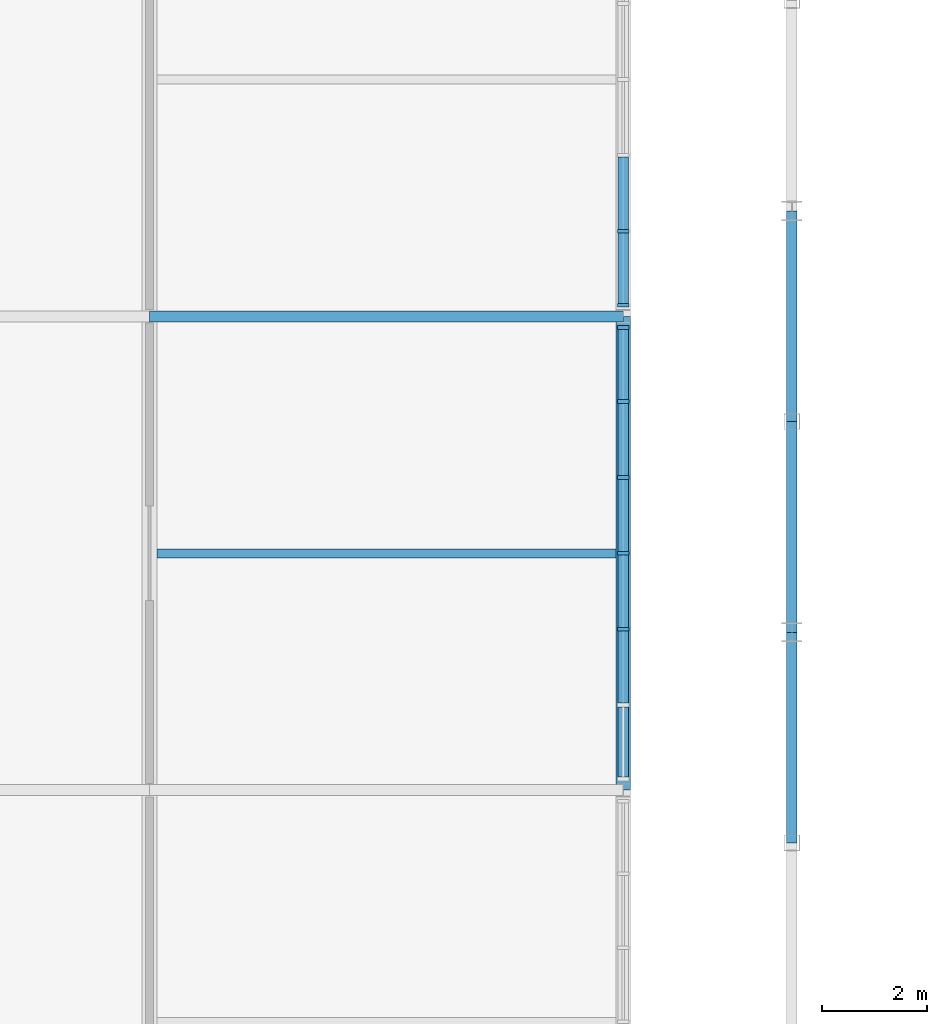
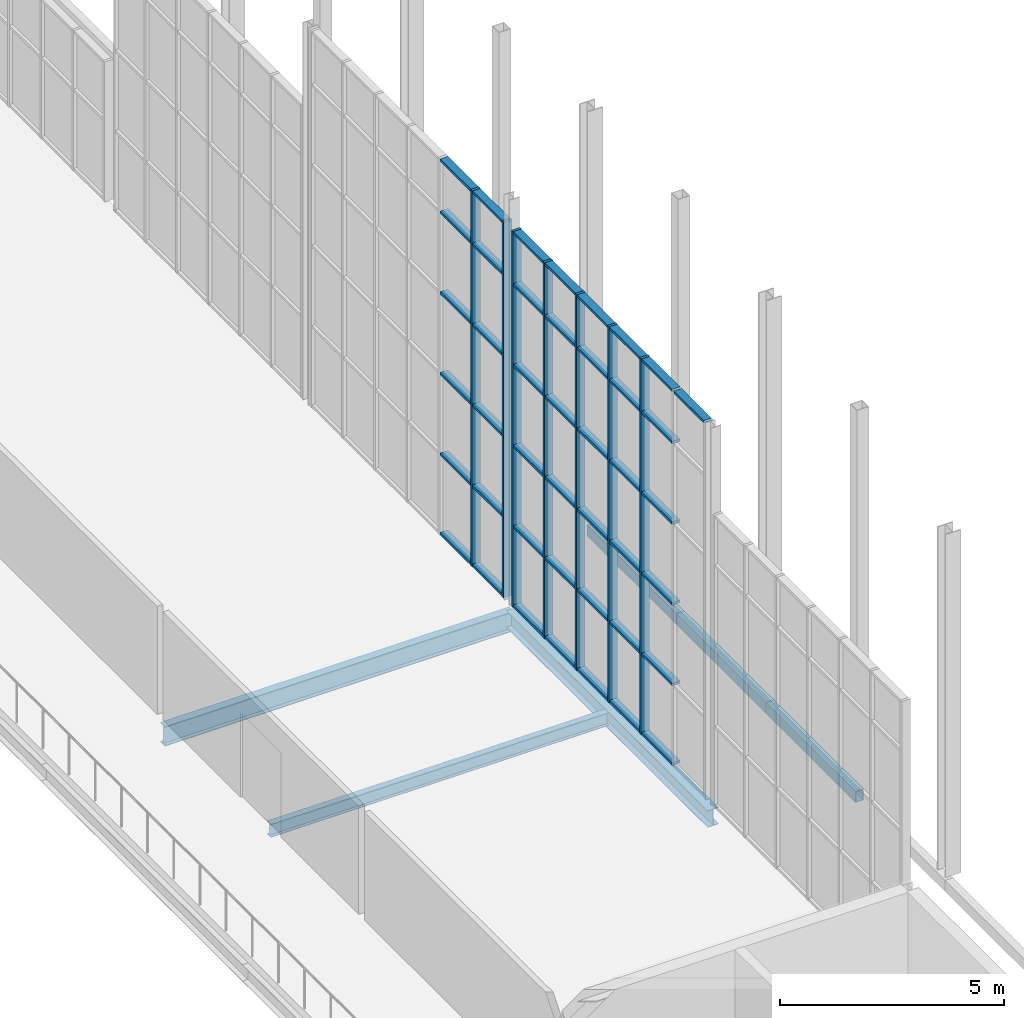
# One storey, part 82 of 134: 50 members, 6 beams, 2 elements without a shape of their own.
"""IFC4 building model written with IfcOpenShell, lengths in metres."""

from ifc_helpers import new_model, si_unit, direction, frame, origin, origin_2d, place, context, subcontext, project, spatial, rectangle, hollow_rectangle, i_section, extrude, material, layer, layer_set, material_profile, profile_set, type_object, element, aggregate, save


model = new_model("IFC4")

# Units and contexts
model_context = context("Model", 3, precision=1e-05, world=origin(), true_north=direction((0.0, 1.0)))
body_context = subcontext(model_context, "Body", "Model", "MODEL_VIEW")
ifc_project = project(units=[si_unit("LENGTHUNIT", "METRE"), si_unit("AREAUNIT", "SQUARE_METRE"), si_unit("VOLUMEUNIT", "CUBIC_METRE"), si_unit("PLANEANGLEUNIT", "RADIAN"), si_unit("MASSUNIT", "GRAM", prefix="KILO")], contexts=[model_context])

# Site, building, storey
site_placement = place(None, origin())
site = spatial("IfcSite", under=ifc_project, at=site_placement, CompositionType="ELEMENT")
building_placement = place(site_placement, origin())
building = spatial("IfcBuilding", under=site, at=building_placement, Name="Cazmaro Siding Exhibition Halls", CompositionType="ELEMENT")
storey_placement = place(building_placement, frame((0.0, 0.0, 12.0)))
storey = spatial("IfcBuildingStorey", under=building, at=storey_placement, Name="L02", CompositionType="ELEMENT", Elevation=12.0)

# Beams
ifc_material_1 = material(Name="Steel ASTM A992 Grade 50", Category="steel")
ifc_material_profile_1 = material_profile(ifc_material_1, i_section(OverallWidth=0.2099609375, OverallDepth=0.535888671875, WebThickness=0.010986328125, FlangeThickness=0.01708984375, at=origin_2d()), Name="W21X68")
ifc_profile_set_1 = profile_set([ifc_material_profile_1], Name="Steel ASTM A992 Grade 50")
beam_type_1 = type_object("IfcBeamType", Name="B-02", PredefinedType="BEAM", material=ifc_profile_set_1)
beam_1_placement = place(storey_placement, frame((158.800048828125, 94.0, -0.488037109375), z_axis=(1.0, 0.0, 0.0), x_axis=(0.0, 1.0, 0.0)))
element("IfcBeam", 1, at=beam_1_placement, inside=storey, type_object=beam_type_1, Name="Beam B-02 BM-0521", PredefinedType="BEAM", context=body_context, shape_type="SweptSolid", body=[
    extrude(i_section(OverallWidth=0.2099609375, OverallDepth=0.535888671875, WebThickness=0.010986328125, FlangeThickness=0.01708984375, at=origin_2d()), origin(), (0.0, 0.0, 1.0), 9.0),
])
ifc_material_2 = material(Name="Steel ASTM A992 Grade 50", Category="steel")
ifc_material_profile_2 = material_profile(ifc_material_2, i_section(OverallWidth=0.279052734375, OverallDepth=0.4619140625, WebThickness=0.010986328125, FlangeThickness=0.01708984375, at=origin_2d()), Name="W18X76")
ifc_profile_set_2 = profile_set([ifc_material_profile_2], Name="Steel ASTM A992 Grade 50")
beam_type_2 = type_object("IfcBeamType", Name="B-03", PredefinedType="BEAM", material=ifc_profile_set_2)
beam_2_placement = place(storey_placement, frame((167.800048828125, 85.0, -0.450927734375), z_axis=(0.0, 1.0, 0.0), x_axis=(-1.0, 0.0, 0.0)))
element("IfcBeam", 2, at=beam_2_placement, inside=storey, type_object=beam_type_2, Name="Beam B-03 BM-0525", PredefinedType="BEAM", context=body_context, shape_type="SweptSolid", body=[
    extrude(i_section(OverallWidth=0.279052734375, OverallDepth=0.4619140625, WebThickness=0.010986328125, FlangeThickness=0.01708984375, at=origin_2d()), origin(), (0.0, 0.0, 1.0), 9.0),
])

# Curtain wall, members
ifc_material_3 = material(Name="Anodized Bronze Aluminum and Solar-Control Low-E Glazing", Category="aluminium")
ifc_layer = layer(ifc_material_3, 0.219970703125)
ifc_layer_set = layer_set([ifc_layer], Name="Anodized Bronze Aluminum and Solar-Control Low-E Glazing")
curtain_wall_type = type_object("IfcCurtainWallType", Name="CWS-03", PredefinedType="USERDEFINED", material=ifc_layer_set)
curtain_wall_1_placement = place(storey_placement, origin())
curtain_wall_1 = element("IfcCurtainWall", 3, at=curtain_wall_1_placement, inside=storey, type_object=curtain_wall_type, Name="Glazed Curtain Wall CWS-03 CW-070", ObjectType="GLAZED CURTAIN WALL", PredefinedType="USERDEFINED")
ifc_material_4 = material(Name="Anodized Bronze Extruded Aluminum", Category="aluminium")
ifc_material_profile_3 = material_profile(ifc_material_4, rectangle(XDim=0.219970703125, YDim=0.070068359375, at=origin_2d()), Name="CWM-03")
ifc_profile_set_3 = profile_set([ifc_material_profile_3], Name="Anodized Bronze Extruded Aluminum")
member_type_1 = type_object("IfcMemberType", Name="CWM-03", PredefinedType="MULLION", material=ifc_profile_set_3)
member_1_placement = place(storey_placement, frame((167.800048828125, 88.05908203125, 0.0), z_axis=(0.0, 0.0, 1.0), x_axis=(-1.0, 0.0, 0.0)))
member_1 = element("IfcMember", 4, at=member_1_placement, type_object=member_type_1, Name="CWS-03 mullion 3", PredefinedType="MULLION", context=body_context, shape_type="SweptSolid", body=[
    extrude(rectangle(XDim=0.219970703125, YDim=0.070068359375, at=origin_2d()), origin(), (0.0, 0.0, 1.0), 10.258056640625),
])
member_2_placement = place(storey_placement, frame((167.800048828125, 89.5, 0.0), z_axis=(0.0, 0.0, 1.0), x_axis=(-1.0, 0.0, 0.0)))
member_2 = element("IfcMember", 5, at=member_2_placement, type_object=member_type_1, Name="CWS-03 mullion 4", PredefinedType="MULLION", context=body_context, shape_type="SweptSolid", body=[
    extrude(rectangle(XDim=0.219970703125, YDim=0.070068359375, at=origin_2d()), origin(), (0.0, 0.0, 1.0), 10.258056640625),
])
member_3_placement = place(storey_placement, frame((167.800048828125, 90.94091796875, 0.0), z_axis=(0.0, 0.0, 1.0), x_axis=(-1.0, 0.0, 0.0)))
member_3 = element("IfcMember", 6, at=member_3_placement, type_object=member_type_1, Name="CWS-03 mullion 5", PredefinedType="MULLION", context=body_context, shape_type="SweptSolid", body=[
    extrude(rectangle(XDim=0.219970703125, YDim=0.070068359375, at=origin_2d()), origin(), (0.0, 0.0, 1.0), 10.258056640625),
])
member_4_placement = place(storey_placement, frame((167.800048828125, 92.382080078125, 0.0), z_axis=(0.0, 0.0, 1.0), x_axis=(-1.0, 0.0, 0.0)))
member_4 = element("IfcMember", 7, at=member_4_placement, type_object=member_type_1, Name="CWS-03 mullion 6", PredefinedType="MULLION", context=body_context, shape_type="SweptSolid", body=[
    extrude(rectangle(XDim=0.219970703125, YDim=0.070068359375, at=origin_2d()), origin(), (0.0, 0.0, 1.0), 10.258056640625),
])
member_5_placement = place(storey_placement, frame((167.800048828125, 93.7880859375, 0.0), z_axis=(0.0, 0.0, 1.0), x_axis=(-1.0, 0.0, 0.0)))
member_5 = element("IfcMember", 8, at=member_5_placement, type_object=member_type_1, Name="CWS-03 mullion 7", PredefinedType="MULLION", context=body_context, shape_type="SweptSolid", body=[
    extrude(rectangle(XDim=0.219970703125, YDim=0.070068359375, at=origin_2d()), origin(), (0.0, 0.0, 1.0), 10.258056640625),
])

curtain_wall_2_placement = place(storey_placement, origin())
curtain_wall_2 = element("IfcCurtainWall", 9, at=curtain_wall_2_placement, inside=storey, type_object=curtain_wall_type, Name="Glazed Curtain Wall CWS-03 CW-073", ObjectType="GLAZED CURTAIN WALL", PredefinedType="USERDEFINED")
member_6_placement = place(storey_placement, frame((167.800048828125, 94.2119140625, 0.0), z_axis=(0.0, 0.0, 1.0), x_axis=(-1.0, 0.0, 0.0)))
member_6 = element("IfcMember", 10, at=member_6_placement, type_object=member_type_1, Name="CWS-03 mullion 1", PredefinedType="MULLION", context=body_context, shape_type="SweptSolid", body=[
    extrude(rectangle(XDim=0.219970703125, YDim=0.070068359375, at=origin_2d()), origin(), (0.0, 0.0, 1.0), 10.258056640625),
])
member_7_placement = place(storey_placement, frame((167.800048828125, 95.617919921875, 0.0), z_axis=(0.0, 0.0, 1.0), x_axis=(-1.0, 0.0, 0.0)))
member_7 = element("IfcMember", 11, at=member_7_placement, type_object=member_type_1, Name="CWS-03 mullion 2", PredefinedType="MULLION", context=body_context, shape_type="SweptSolid", body=[
    extrude(rectangle(XDim=0.219970703125, YDim=0.070068359375, at=origin_2d()), origin(), (0.0, 0.0, 1.0), 10.258056640625),
])

# Member
ifc_material_5 = material(Name="Anodized Bronze Extruded Aluminum", Category="aluminium")
ifc_material_profile_4 = material_profile(ifc_material_5, rectangle(XDim=0.199951171875, YDim=0.070068359375, at=origin_2d()), Name="CWT-03")
ifc_profile_set_4 = profile_set([ifc_material_profile_4], Name="Anodized Bronze Extruded Aluminum")
member_type_2 = type_object("IfcMemberType", Name="CWT-03", PredefinedType="MULLION", material=ifc_profile_set_4)
member_8_placement = place(storey_placement, frame((167.800048828125, 85.2470703125, 10.222900390625), z_axis=(0.0, 1.0, 0.0), x_axis=(-1.0, 0.0, 0.0)))
member_8 = element("IfcMember", 12, at=member_8_placement, type_object=member_type_2, Name="CWS-03 transom 1.6", ObjectType="TRANSOM", PredefinedType="USERDEFINED", context=body_context, shape_type="SweptSolid", body=[
    extrude(rectangle(XDim=0.199951171875, YDim=0.070068359375, at=origin_2d()), origin(), (0.0, 0.0, 1.0), 1.3359375),
])

member_9_placement = place(storey_placement, frame((167.800048828125, 86.653076171875, 0.034912109375), z_axis=(0.0, 1.0, 0.0), x_axis=(-1.0, 0.0, 0.0)))
member_9 = element("IfcMember", 13, at=member_9_placement, type_object=member_type_2, Name="CWS-03 transom 2.1", ObjectType="TRANSOM", PredefinedType="USERDEFINED", context=body_context, shape_type="SweptSolid", body=[
    extrude(rectangle(XDim=0.199951171875, YDim=0.070068359375, at=origin_2d()), origin(), (0.0, 0.0, 1.0), 1.370849609375),
])

member_10_placement = place(storey_placement, frame((167.800048828125, 86.653076171875, 2.199951171875), z_axis=(0.0, 1.0, 0.0), x_axis=(-1.0, 0.0, 0.0)))
member_10 = element("IfcMember", 14, at=member_10_placement, type_object=member_type_2, Name="CWS-03 transom 2.2", ObjectType="TRANSOM", PredefinedType="USERDEFINED", context=body_context, shape_type="SweptSolid", body=[
    extrude(rectangle(XDim=0.199951171875, YDim=0.070068359375, at=origin_2d()), origin(), (0.0, 0.0, 1.0), 1.370849609375),
])

member_11_placement = place(storey_placement, frame((167.800048828125, 86.653076171875, 4.39990234375), z_axis=(0.0, 1.0, 0.0), x_axis=(-1.0, 0.0, 0.0)))
member_11 = element("IfcMember", 15, at=member_11_placement, type_object=member_type_2, Name="CWS-03 transom 2.3", ObjectType="TRANSOM", PredefinedType="USERDEFINED", context=body_context, shape_type="SweptSolid", body=[
    extrude(rectangle(XDim=0.199951171875, YDim=0.070068359375, at=origin_2d()), origin(), (0.0, 0.0, 1.0), 1.370849609375),
])

member_12_placement = place(storey_placement, frame((167.800048828125, 86.653076171875, 6.60009765625), z_axis=(0.0, 1.0, 0.0), x_axis=(-1.0, 0.0, 0.0)))
member_12 = element("IfcMember", 16, at=member_12_placement, type_object=member_type_2, Name="CWS-03 transom 2.4", ObjectType="TRANSOM", PredefinedType="USERDEFINED", context=body_context, shape_type="SweptSolid", body=[
    extrude(rectangle(XDim=0.199951171875, YDim=0.070068359375, at=origin_2d()), origin(), (0.0, 0.0, 1.0), 1.370849609375),
])

member_13_placement = place(storey_placement, frame((167.800048828125, 86.653076171875, 8.800048828125), z_axis=(0.0, 1.0, 0.0), x_axis=(-1.0, 0.0, 0.0)))
member_13 = element("IfcMember", 17, at=member_13_placement, type_object=member_type_2, Name="CWS-03 transom 2.5", ObjectType="TRANSOM", PredefinedType="USERDEFINED", context=body_context, shape_type="SweptSolid", body=[
    extrude(rectangle(XDim=0.199951171875, YDim=0.070068359375, at=origin_2d()), origin(), (0.0, 0.0, 1.0), 1.370849609375),
])

member_14_placement = place(storey_placement, frame((167.800048828125, 86.653076171875, 10.222900390625), z_axis=(0.0, 1.0, 0.0), x_axis=(-1.0, 0.0, 0.0)))
member_14 = element("IfcMember", 18, at=member_14_placement, type_object=member_type_2, Name="CWS-03 transom 2.6", ObjectType="TRANSOM", PredefinedType="USERDEFINED", context=body_context, shape_type="SweptSolid", body=[
    extrude(rectangle(XDim=0.199951171875, YDim=0.070068359375, at=origin_2d()), origin(), (0.0, 0.0, 1.0), 1.370849609375),
])

member_15_placement = place(storey_placement, frame((167.800048828125, 88.093994140625, 0.034912109375), z_axis=(0.0, 1.0, 0.0), x_axis=(-1.0, 0.0, 0.0)))
member_15 = element("IfcMember", 19, at=member_15_placement, type_object=member_type_2, Name="CWS-03 transom 3.1", ObjectType="TRANSOM", PredefinedType="USERDEFINED", context=body_context, shape_type="SweptSolid", body=[
    extrude(rectangle(XDim=0.199951171875, YDim=0.070068359375, at=origin_2d()), origin(), (0.0, 0.0, 1.0), 1.37109375),
])

member_16_placement = place(storey_placement, frame((167.800048828125, 88.093994140625, 2.199951171875), z_axis=(0.0, 1.0, 0.0), x_axis=(-1.0, 0.0, 0.0)))
member_16 = element("IfcMember", 20, at=member_16_placement, type_object=member_type_2, Name="CWS-03 transom 3.2", ObjectType="TRANSOM", PredefinedType="USERDEFINED", context=body_context, shape_type="SweptSolid", body=[
    extrude(rectangle(XDim=0.199951171875, YDim=0.070068359375, at=origin_2d()), origin(), (0.0, 0.0, 1.0), 1.37109375),
])

member_17_placement = place(storey_placement, frame((167.800048828125, 88.093994140625, 4.39990234375), z_axis=(0.0, 1.0, 0.0), x_axis=(-1.0, 0.0, 0.0)))
member_17 = element("IfcMember", 21, at=member_17_placement, type_object=member_type_2, Name="CWS-03 transom 3.3", ObjectType="TRANSOM", PredefinedType="USERDEFINED", context=body_context, shape_type="SweptSolid", body=[
    extrude(rectangle(XDim=0.199951171875, YDim=0.070068359375, at=origin_2d()), origin(), (0.0, 0.0, 1.0), 1.37109375),
])

member_18_placement = place(storey_placement, frame((167.800048828125, 88.093994140625, 6.60009765625), z_axis=(0.0, 1.0, 0.0), x_axis=(-1.0, 0.0, 0.0)))
member_18 = element("IfcMember", 22, at=member_18_placement, type_object=member_type_2, Name="CWS-03 transom 3.4", ObjectType="TRANSOM", PredefinedType="USERDEFINED", context=body_context, shape_type="SweptSolid", body=[
    extrude(rectangle(XDim=0.199951171875, YDim=0.070068359375, at=origin_2d()), origin(), (0.0, 0.0, 1.0), 1.37109375),
])

member_19_placement = place(storey_placement, frame((167.800048828125, 88.093994140625, 8.800048828125), z_axis=(0.0, 1.0, 0.0), x_axis=(-1.0, 0.0, 0.0)))
member_19 = element("IfcMember", 23, at=member_19_placement, type_object=member_type_2, Name="CWS-03 transom 3.5", ObjectType="TRANSOM", PredefinedType="USERDEFINED", context=body_context, shape_type="SweptSolid", body=[
    extrude(rectangle(XDim=0.199951171875, YDim=0.070068359375, at=origin_2d()), origin(), (0.0, 0.0, 1.0), 1.37109375),
])

member_20_placement = place(storey_placement, frame((167.800048828125, 88.093994140625, 10.222900390625), z_axis=(0.0, 1.0, 0.0), x_axis=(-1.0, 0.0, 0.0)))
member_20 = element("IfcMember", 24, at=member_20_placement, type_object=member_type_2, Name="CWS-03 transom 3.6", ObjectType="TRANSOM", PredefinedType="USERDEFINED", context=body_context, shape_type="SweptSolid", body=[
    extrude(rectangle(XDim=0.199951171875, YDim=0.070068359375, at=origin_2d()), origin(), (0.0, 0.0, 1.0), 1.37109375),
])

member_21_placement = place(storey_placement, frame((167.800048828125, 89.534912109375, 0.034912109375), z_axis=(0.0, 1.0, 0.0), x_axis=(-1.0, 0.0, 0.0)))
member_21 = element("IfcMember", 25, at=member_21_placement, type_object=member_type_2, Name="CWS-03 transom 4.1", ObjectType="TRANSOM", PredefinedType="USERDEFINED", context=body_context, shape_type="SweptSolid", body=[
    extrude(rectangle(XDim=0.199951171875, YDim=0.070068359375, at=origin_2d()), origin(), (0.0, 0.0, 1.0), 1.37109375),
])

member_22_placement = place(storey_placement, frame((167.800048828125, 89.534912109375, 2.199951171875), z_axis=(0.0, 1.0, 0.0), x_axis=(-1.0, 0.0, 0.0)))
member_22 = element("IfcMember", 26, at=member_22_placement, type_object=member_type_2, Name="CWS-03 transom 4.2", ObjectType="TRANSOM", PredefinedType="USERDEFINED", context=body_context, shape_type="SweptSolid", body=[
    extrude(rectangle(XDim=0.199951171875, YDim=0.070068359375, at=origin_2d()), origin(), (0.0, 0.0, 1.0), 1.37109375),
])

member_23_placement = place(storey_placement, frame((167.800048828125, 89.534912109375, 4.39990234375), z_axis=(0.0, 1.0, 0.0), x_axis=(-1.0, 0.0, 0.0)))
member_23 = element("IfcMember", 27, at=member_23_placement, type_object=member_type_2, Name="CWS-03 transom 4.3", ObjectType="TRANSOM", PredefinedType="USERDEFINED", context=body_context, shape_type="SweptSolid", body=[
    extrude(rectangle(XDim=0.199951171875, YDim=0.070068359375, at=origin_2d()), origin(), (0.0, 0.0, 1.0), 1.37109375),
])

member_24_placement = place(storey_placement, frame((167.800048828125, 89.534912109375, 6.60009765625), z_axis=(0.0, 1.0, 0.0), x_axis=(-1.0, 0.0, 0.0)))
member_24 = element("IfcMember", 28, at=member_24_placement, type_object=member_type_2, Name="CWS-03 transom 4.4", ObjectType="TRANSOM", PredefinedType="USERDEFINED", context=body_context, shape_type="SweptSolid", body=[
    extrude(rectangle(XDim=0.199951171875, YDim=0.070068359375, at=origin_2d()), origin(), (0.0, 0.0, 1.0), 1.37109375),
])

member_25_placement = place(storey_placement, frame((167.800048828125, 89.534912109375, 8.800048828125), z_axis=(0.0, 1.0, 0.0), x_axis=(-1.0, 0.0, 0.0)))
member_25 = element("IfcMember", 29, at=member_25_placement, type_object=member_type_2, Name="CWS-03 transom 4.5", ObjectType="TRANSOM", PredefinedType="USERDEFINED", context=body_context, shape_type="SweptSolid", body=[
    extrude(rectangle(XDim=0.199951171875, YDim=0.070068359375, at=origin_2d()), origin(), (0.0, 0.0, 1.0), 1.37109375),
])

member_26_placement = place(storey_placement, frame((167.800048828125, 89.534912109375, 10.222900390625), z_axis=(0.0, 1.0, 0.0), x_axis=(-1.0, 0.0, 0.0)))
member_26 = element("IfcMember", 30, at=member_26_placement, type_object=member_type_2, Name="CWS-03 transom 4.6", ObjectType="TRANSOM", PredefinedType="USERDEFINED", context=body_context, shape_type="SweptSolid", body=[
    extrude(rectangle(XDim=0.199951171875, YDim=0.070068359375, at=origin_2d()), origin(), (0.0, 0.0, 1.0), 1.37109375),
])

member_27_placement = place(storey_placement, frame((167.800048828125, 90.97607421875, 0.034912109375), z_axis=(0.0, 1.0, 0.0), x_axis=(-1.0, 0.0, 0.0)))
member_27 = element("IfcMember", 31, at=member_27_placement, type_object=member_type_2, Name="CWS-03 transom 5.1", ObjectType="TRANSOM", PredefinedType="USERDEFINED", context=body_context, shape_type="SweptSolid", body=[
    extrude(rectangle(XDim=0.199951171875, YDim=0.070068359375, at=origin_2d()), origin(), (0.0, 0.0, 1.0), 1.370849609375),
])

member_28_placement = place(storey_placement, frame((167.800048828125, 90.97607421875, 2.199951171875), z_axis=(0.0, 1.0, 0.0), x_axis=(-1.0, 0.0, 0.0)))
member_28 = element("IfcMember", 32, at=member_28_placement, type_object=member_type_2, Name="CWS-03 transom 5.2", ObjectType="TRANSOM", PredefinedType="USERDEFINED", context=body_context, shape_type="SweptSolid", body=[
    extrude(rectangle(XDim=0.199951171875, YDim=0.070068359375, at=origin_2d()), origin(), (0.0, 0.0, 1.0), 1.370849609375),
])

member_29_placement = place(storey_placement, frame((167.800048828125, 90.97607421875, 4.39990234375), z_axis=(0.0, 1.0, 0.0), x_axis=(-1.0, 0.0, 0.0)))
member_29 = element("IfcMember", 33, at=member_29_placement, type_object=member_type_2, Name="CWS-03 transom 5.3", ObjectType="TRANSOM", PredefinedType="USERDEFINED", context=body_context, shape_type="SweptSolid", body=[
    extrude(rectangle(XDim=0.199951171875, YDim=0.070068359375, at=origin_2d()), origin(), (0.0, 0.0, 1.0), 1.370849609375),
])

member_30_placement = place(storey_placement, frame((167.800048828125, 90.97607421875, 6.60009765625), z_axis=(0.0, 1.0, 0.0), x_axis=(-1.0, 0.0, 0.0)))
member_30 = element("IfcMember", 34, at=member_30_placement, type_object=member_type_2, Name="CWS-03 transom 5.4", ObjectType="TRANSOM", PredefinedType="USERDEFINED", context=body_context, shape_type="SweptSolid", body=[
    extrude(rectangle(XDim=0.199951171875, YDim=0.070068359375, at=origin_2d()), origin(), (0.0, 0.0, 1.0), 1.370849609375),
])

member_31_placement = place(storey_placement, frame((167.800048828125, 90.97607421875, 8.800048828125), z_axis=(0.0, 1.0, 0.0), x_axis=(-1.0, 0.0, 0.0)))
member_31 = element("IfcMember", 35, at=member_31_placement, type_object=member_type_2, Name="CWS-03 transom 5.5", ObjectType="TRANSOM", PredefinedType="USERDEFINED", context=body_context, shape_type="SweptSolid", body=[
    extrude(rectangle(XDim=0.199951171875, YDim=0.070068359375, at=origin_2d()), origin(), (0.0, 0.0, 1.0), 1.370849609375),
])

member_32_placement = place(storey_placement, frame((167.800048828125, 90.97607421875, 10.222900390625), z_axis=(0.0, 1.0, 0.0), x_axis=(-1.0, 0.0, 0.0)))
member_32 = element("IfcMember", 36, at=member_32_placement, type_object=member_type_2, Name="CWS-03 transom 5.6", ObjectType="TRANSOM", PredefinedType="USERDEFINED", context=body_context, shape_type="SweptSolid", body=[
    extrude(rectangle(XDim=0.199951171875, YDim=0.070068359375, at=origin_2d()), origin(), (0.0, 0.0, 1.0), 1.370849609375),
])

member_33_placement = place(storey_placement, frame((167.800048828125, 92.4169921875, 0.034912109375), z_axis=(0.0, 1.0, 0.0), x_axis=(-1.0, 0.0, 0.0)))
member_33 = element("IfcMember", 37, at=member_33_placement, type_object=member_type_2, Name="CWS-03 transom 6.1", ObjectType="TRANSOM", PredefinedType="USERDEFINED", context=body_context, shape_type="SweptSolid", body=[
    extrude(rectangle(XDim=0.199951171875, YDim=0.070068359375, at=origin_2d()), origin(), (0.0, 0.0, 1.0), 1.3359375),
])

member_34_placement = place(storey_placement, frame((167.800048828125, 92.4169921875, 2.199951171875), z_axis=(0.0, 1.0, 0.0), x_axis=(-1.0, 0.0, 0.0)))
member_34 = element("IfcMember", 38, at=member_34_placement, type_object=member_type_2, Name="CWS-03 transom 6.2", ObjectType="TRANSOM", PredefinedType="USERDEFINED", context=body_context, shape_type="SweptSolid", body=[
    extrude(rectangle(XDim=0.199951171875, YDim=0.070068359375, at=origin_2d()), origin(), (0.0, 0.0, 1.0), 1.3359375),
])

member_35_placement = place(storey_placement, frame((167.800048828125, 92.4169921875, 4.39990234375), z_axis=(0.0, 1.0, 0.0), x_axis=(-1.0, 0.0, 0.0)))
member_35 = element("IfcMember", 39, at=member_35_placement, type_object=member_type_2, Name="CWS-03 transom 6.3", ObjectType="TRANSOM", PredefinedType="USERDEFINED", context=body_context, shape_type="SweptSolid", body=[
    extrude(rectangle(XDim=0.199951171875, YDim=0.070068359375, at=origin_2d()), origin(), (0.0, 0.0, 1.0), 1.3359375),
])

member_36_placement = place(storey_placement, frame((167.800048828125, 92.4169921875, 6.60009765625), z_axis=(0.0, 1.0, 0.0), x_axis=(-1.0, 0.0, 0.0)))
member_36 = element("IfcMember", 40, at=member_36_placement, type_object=member_type_2, Name="CWS-03 transom 6.4", ObjectType="TRANSOM", PredefinedType="USERDEFINED", context=body_context, shape_type="SweptSolid", body=[
    extrude(rectangle(XDim=0.199951171875, YDim=0.070068359375, at=origin_2d()), origin(), (0.0, 0.0, 1.0), 1.3359375),
])

member_37_placement = place(storey_placement, frame((167.800048828125, 92.4169921875, 8.800048828125), z_axis=(0.0, 1.0, 0.0), x_axis=(-1.0, 0.0, 0.0)))
member_37 = element("IfcMember", 41, at=member_37_placement, type_object=member_type_2, Name="CWS-03 transom 6.5", ObjectType="TRANSOM", PredefinedType="USERDEFINED", context=body_context, shape_type="SweptSolid", body=[
    extrude(rectangle(XDim=0.199951171875, YDim=0.070068359375, at=origin_2d()), origin(), (0.0, 0.0, 1.0), 1.3359375),
])

member_38_placement = place(storey_placement, frame((167.800048828125, 92.4169921875, 10.222900390625), z_axis=(0.0, 1.0, 0.0), x_axis=(-1.0, 0.0, 0.0)))
member_38 = element("IfcMember", 42, at=member_38_placement, type_object=member_type_2, Name="CWS-03 transom 6.6", ObjectType="TRANSOM", PredefinedType="USERDEFINED", context=body_context, shape_type="SweptSolid", body=[
    extrude(rectangle(XDim=0.199951171875, YDim=0.070068359375, at=origin_2d()), origin(), (0.0, 0.0, 1.0), 1.3359375),
])

aggregate(curtain_wall_1, [member_1, member_2, member_3, member_4, member_5, member_8, member_9, member_10, member_11, member_12, member_13, member_14, member_15, member_16, member_17, member_18, member_19, member_20, member_21, member_22, member_23, member_24, member_25, member_26, member_27, member_28, member_29, member_30, member_31, member_32, member_33, member_34, member_35, member_36, member_37, member_38])

member_39_placement = place(storey_placement, frame((167.800048828125, 94.2470703125, 0.034912109375), z_axis=(0.0, 1.0, 0.0), x_axis=(-1.0, 0.0, 0.0)))
member_39 = element("IfcMember", 43, at=member_39_placement, type_object=member_type_2, Name="CWS-03 transom 1.1", ObjectType="TRANSOM", PredefinedType="USERDEFINED", context=body_context, shape_type="SweptSolid", body=[
    extrude(rectangle(XDim=0.199951171875, YDim=0.070068359375, at=origin_2d()), origin(), (0.0, 0.0, 1.0), 1.3359375),
])

member_40_placement = place(storey_placement, frame((167.800048828125, 94.2470703125, 2.199951171875), z_axis=(0.0, 1.0, 0.0), x_axis=(-1.0, 0.0, 0.0)))
member_40 = element("IfcMember", 44, at=member_40_placement, type_object=member_type_2, Name="CWS-03 transom 1.2", ObjectType="TRANSOM", PredefinedType="USERDEFINED", context=body_context, shape_type="SweptSolid", body=[
    extrude(rectangle(XDim=0.199951171875, YDim=0.070068359375, at=origin_2d()), origin(), (0.0, 0.0, 1.0), 1.3359375),
])

member_41_placement = place(storey_placement, frame((167.800048828125, 94.2470703125, 4.39990234375), z_axis=(0.0, 1.0, 0.0), x_axis=(-1.0, 0.0, 0.0)))
member_41 = element("IfcMember", 45, at=member_41_placement, type_object=member_type_2, Name="CWS-03 transom 1.3", ObjectType="TRANSOM", PredefinedType="USERDEFINED", context=body_context, shape_type="SweptSolid", body=[
    extrude(rectangle(XDim=0.199951171875, YDim=0.070068359375, at=origin_2d()), origin(), (0.0, 0.0, 1.0), 1.3359375),
])

member_42_placement = place(storey_placement, frame((167.800048828125, 94.2470703125, 6.60009765625), z_axis=(0.0, 1.0, 0.0), x_axis=(-1.0, 0.0, 0.0)))
member_42 = element("IfcMember", 46, at=member_42_placement, type_object=member_type_2, Name="CWS-03 transom 1.4", ObjectType="TRANSOM", PredefinedType="USERDEFINED", context=body_context, shape_type="SweptSolid", body=[
    extrude(rectangle(XDim=0.199951171875, YDim=0.070068359375, at=origin_2d()), origin(), (0.0, 0.0, 1.0), 1.3359375),
])

member_43_placement = place(storey_placement, frame((167.800048828125, 94.2470703125, 8.800048828125), z_axis=(0.0, 1.0, 0.0), x_axis=(-1.0, 0.0, 0.0)))
member_43 = element("IfcMember", 47, at=member_43_placement, type_object=member_type_2, Name="CWS-03 transom 1.5", ObjectType="TRANSOM", PredefinedType="USERDEFINED", context=body_context, shape_type="SweptSolid", body=[
    extrude(rectangle(XDim=0.199951171875, YDim=0.070068359375, at=origin_2d()), origin(), (0.0, 0.0, 1.0), 1.3359375),
])

member_44_placement = place(storey_placement, frame((167.800048828125, 94.2470703125, 10.222900390625), z_axis=(0.0, 1.0, 0.0), x_axis=(-1.0, 0.0, 0.0)))
member_44 = element("IfcMember", 48, at=member_44_placement, type_object=member_type_2, Name="CWS-03 transom 1.6", ObjectType="TRANSOM", PredefinedType="USERDEFINED", context=body_context, shape_type="SweptSolid", body=[
    extrude(rectangle(XDim=0.199951171875, YDim=0.070068359375, at=origin_2d()), origin(), (0.0, 0.0, 1.0), 1.3359375),
])

member_45_placement = place(storey_placement, frame((167.800048828125, 95.653076171875, 0.034912109375), z_axis=(0.0, 1.0, 0.0), x_axis=(-1.0, 0.0, 0.0)))
member_45 = element("IfcMember", 49, at=member_45_placement, type_object=member_type_2, Name="CWS-03 transom 2.1", ObjectType="TRANSOM", PredefinedType="USERDEFINED", context=body_context, shape_type="SweptSolid", body=[
    extrude(rectangle(XDim=0.199951171875, YDim=0.070068359375, at=origin_2d()), origin(), (0.0, 0.0, 1.0), 1.370849609375),
])

member_46_placement = place(storey_placement, frame((167.800048828125, 95.653076171875, 2.199951171875), z_axis=(0.0, 1.0, 0.0), x_axis=(-1.0, 0.0, 0.0)))
member_46 = element("IfcMember", 50, at=member_46_placement, type_object=member_type_2, Name="CWS-03 transom 2.2", ObjectType="TRANSOM", PredefinedType="USERDEFINED", context=body_context, shape_type="SweptSolid", body=[
    extrude(rectangle(XDim=0.199951171875, YDim=0.070068359375, at=origin_2d()), origin(), (0.0, 0.0, 1.0), 1.370849609375),
])

member_47_placement = place(storey_placement, frame((167.800048828125, 95.653076171875, 4.39990234375), z_axis=(0.0, 1.0, 0.0), x_axis=(-1.0, 0.0, 0.0)))
member_47 = element("IfcMember", 51, at=member_47_placement, type_object=member_type_2, Name="CWS-03 transom 2.3", ObjectType="TRANSOM", PredefinedType="USERDEFINED", context=body_context, shape_type="SweptSolid", body=[
    extrude(rectangle(XDim=0.199951171875, YDim=0.070068359375, at=origin_2d()), origin(), (0.0, 0.0, 1.0), 1.370849609375),
])

member_48_placement = place(storey_placement, frame((167.800048828125, 95.653076171875, 6.60009765625), z_axis=(0.0, 1.0, 0.0), x_axis=(-1.0, 0.0, 0.0)))
member_48 = element("IfcMember", 52, at=member_48_placement, type_object=member_type_2, Name="CWS-03 transom 2.4", ObjectType="TRANSOM", PredefinedType="USERDEFINED", context=body_context, shape_type="SweptSolid", body=[
    extrude(rectangle(XDim=0.199951171875, YDim=0.070068359375, at=origin_2d()), origin(), (0.0, 0.0, 1.0), 1.370849609375),
])

member_49_placement = place(storey_placement, frame((167.800048828125, 95.653076171875, 8.800048828125), z_axis=(0.0, 1.0, 0.0), x_axis=(-1.0, 0.0, 0.0)))
member_49 = element("IfcMember", 53, at=member_49_placement, type_object=member_type_2, Name="CWS-03 transom 2.5", ObjectType="TRANSOM", PredefinedType="USERDEFINED", context=body_context, shape_type="SweptSolid", body=[
    extrude(rectangle(XDim=0.199951171875, YDim=0.070068359375, at=origin_2d()), origin(), (0.0, 0.0, 1.0), 1.370849609375),
])

member_50_placement = place(storey_placement, frame((167.800048828125, 95.653076171875, 10.222900390625), z_axis=(0.0, 1.0, 0.0), x_axis=(-1.0, 0.0, 0.0)))
member_50 = element("IfcMember", 54, at=member_50_placement, type_object=member_type_2, Name="CWS-03 transom 2.6", ObjectType="TRANSOM", PredefinedType="USERDEFINED", context=body_context, shape_type="SweptSolid", body=[
    extrude(rectangle(XDim=0.199951171875, YDim=0.070068359375, at=origin_2d()), origin(), (0.0, 0.0, 1.0), 1.370849609375),
])

aggregate(curtain_wall_2, [member_6, member_7, member_39, member_40, member_41, member_42, member_43, member_44, member_45, member_46, member_47, member_48, member_49, member_50])

# Beams
ifc_material_6 = material(Name="Steel ASTM A992 Grade 50", Category="steel")
ifc_material_profile_5 = material_profile(ifc_material_6, i_section(OverallWidth=0.1708984375, OverallDepth=0.35595703125, WebThickness=0.007080078125, FlangeThickness=0.011962890625, at=origin_2d()), Name="W14X34")
ifc_profile_set_5 = profile_set([ifc_material_profile_5], Name="Steel ASTM A992 Grade 50")
beam_type_3 = type_object("IfcBeamType", Name="J-04", PredefinedType="JOIST", material=ifc_profile_set_5)
beam_3_placement = place(storey_placement, frame((158.93994140625, 89.5, -0.39794921875), z_axis=(1.0, 0.0, 0.0), x_axis=(0.0, 1.0, 0.0)))
element("IfcBeam", 55, at=beam_3_placement, inside=storey, type_object=beam_type_3, Name="Beam J-04 BM-0526", PredefinedType="JOIST", context=body_context, shape_type="SweptSolid", body=[
    extrude(i_section(OverallWidth=0.1708984375, OverallDepth=0.35595703125, WebThickness=0.007080078125, FlangeThickness=0.011962890625, at=origin_2d()), origin(), (0.0, 0.0, 1.0), 8.719970703125),
])
ifc_material_7 = material(Name="Steel ASTM A500 Grade C", Category="steel")
ifc_material_profile_6 = material_profile(ifc_material_7, hollow_rectangle(XDim=0.202880859375, YDim=0.304931640625, WallThickness=0.011962890625, at=origin_2d()), Name="HSS12X8X1/2")
ifc_profile_set_6 = profile_set([ifc_material_profile_6], Name="Steel ASTM A500 Grade C")
beam_type_4 = type_object("IfcBeamType", Name="SP-01", PredefinedType="SPANDREL", material=ifc_profile_set_6)
for number, where, z_axis, x_axis, name in (
    (56, (171.0, 84.0, -0.373046875), (0.0, 1.0, 0.0), (-1.0, 0.0, 0.0), "Beam SP-01 BM-0042"),
    (57, (171.0, 88.0, -0.373046875), (0.0, 1.0, 0.0), (-1.0, 0.0, 0.0), "Beam SP-01 BM-0044"),
    (58, (171.0, 92.0, -0.373046875), (0.0, 1.0, 0.0), (-1.0, 0.0, 0.0), "Beam SP-01 BM-0046"),
):
    element("IfcBeam", number, at=place(storey_placement, frame(where, z_axis=z_axis, x_axis=x_axis)), inside=storey, type_object=beam_type_4, Name=name, PredefinedType="SPANDREL", context=body_context, shape_type="SweptSolid", body=[
        extrude(hollow_rectangle(XDim=0.202880859375, YDim=0.304931640625, WallThickness=0.011962890625, at=origin_2d()), origin(), (0.0, 0.0, 1.0), 4.0),
    ])

save(model, "model.ifc")
